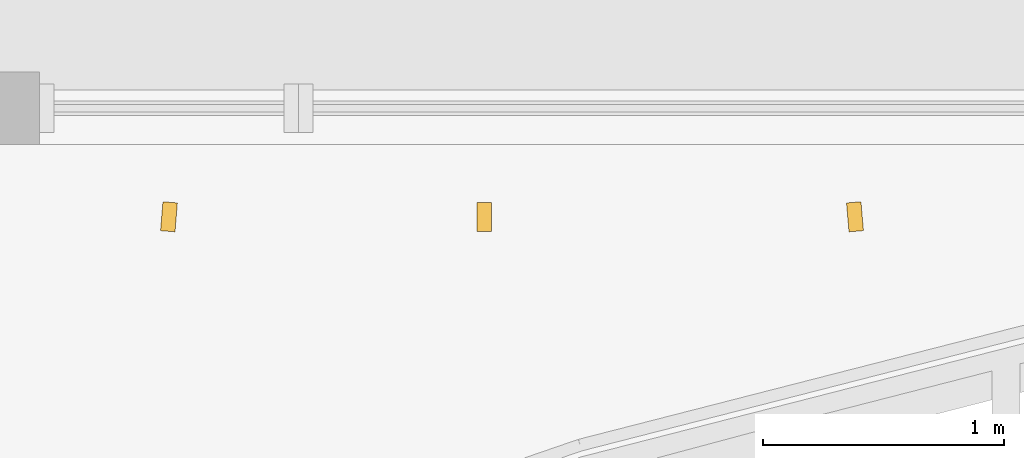
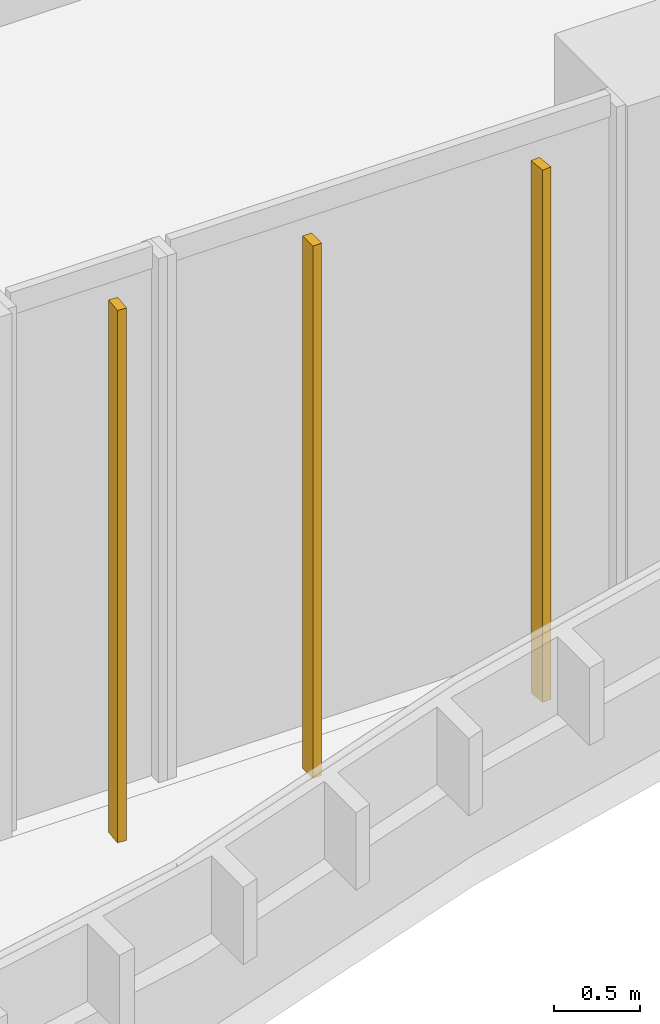
# One storey, part 19 of 25: 3 shading devices.
"""IFC4 building model written with IfcOpenShell, lengths in metres."""

from ifc_helpers import new_model, si_unit, direction, frame, origin, origin_2d, place, context, subcontext, project, spatial, rectangle, extrude, source, transform, mapped, material, material_profile, profile_set, type_object, element, save


model = new_model("IFC4")

# Units and contexts
model_context = context("Model", 3, precision=1e-05, world=origin(), true_north=direction((0.0, 1.0)))
body_context = subcontext(model_context, "Body", "Model", "MODEL_VIEW")
ifc_project = project(units=[si_unit("LENGTHUNIT", "METRE"), si_unit("AREAUNIT", "SQUARE_METRE"), si_unit("VOLUMEUNIT", "CUBIC_METRE"), si_unit("PLANEANGLEUNIT", "RADIAN"), si_unit("MASSUNIT", "GRAM", prefix="KILO")], contexts=[model_context])

# Site, building, storey
site_placement = place(None, origin())
site = spatial("IfcSite", under=ifc_project, at=site_placement, CompositionType="ELEMENT")
building_placement = place(site_placement, origin())
building = spatial("IfcBuilding", under=site, at=building_placement, Name="Kilnfold Tower and Market Hall", CompositionType="ELEMENT")
storey_placement = place(building_placement, frame((0.0, 0.0, 120.60009765625)))
storey = spatial("IfcBuildingStorey", under=building, at=storey_placement, Name="L28", CompositionType="ELEMENT", Elevation=120.60009765625)

# Shading devices
ifc_material = material(Name="Terracotta", Category="masonry")
ifc_material_profile = material_profile(ifc_material, rectangle(XDim=0.06005859375, YDim=0.1201171875, at=origin_2d()), Name="BAG 60x120")
ifc_profile_set = profile_set([ifc_material_profile], Name="Terracotta")
shading_device_type = type_object("IfcShadingDeviceType", Name="BAGUETTE", PredefinedType="USERDEFINED", material=ifc_profile_set)
shared_shape = source(origin(), body_context, "Body", "SweptSolid", [
    extrude(rectangle(XDim=0.06005859375, YDim=0.1201171875, at=origin_2d()), origin(), (0.0, 0.0, 1.0), 3.77978515625),
])
for number, where, z_axis, x_axis, name in (
    (1, (4.46240234375, -23.300048828125, 0.0), (0.0, 0.0, 1.0), (0.996727303692, -0.080837380425, 0.0), "Terracotta baguette L28 S"),
    (2, (5.768798828125, -23.300048828125, 0.0), (0.0, 0.0, 1.0), (0.999990033903, -0.004464537395, 0.0), "Terracotta baguette L28 S"),
    (3, (7.30615234375, -23.300048828125, 0.0), (0.0, 0.0, 1.0), (0.996356319849, 0.085288240082, 0.0), "Terracotta baguette L28 S"),
):
    element("IfcShadingDevice", number, at=place(storey_placement, frame(where, z_axis=z_axis, x_axis=x_axis)), inside=storey, type_object=shading_device_type, Name=name, ObjectType="BAGUETTE", PredefinedType="USERDEFINED", context=body_context, shape_type="MappedRepresentation", body=[
        mapped(shared_shape, transform((0.0, 0.0, 0.0))),
    ])

save(model, "model.ifc")
